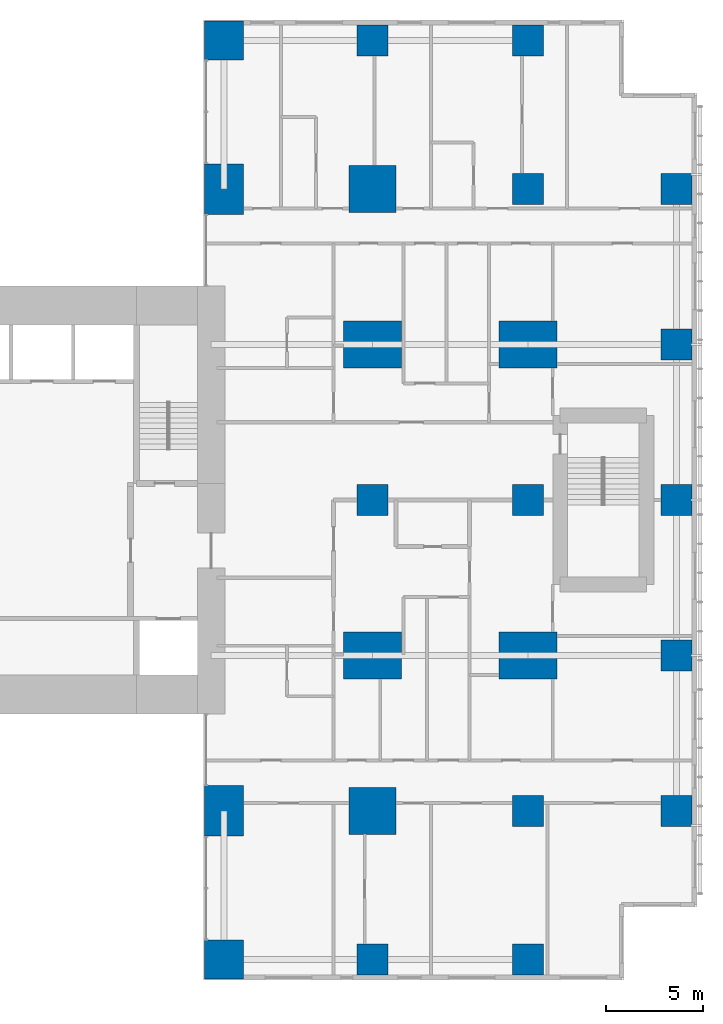
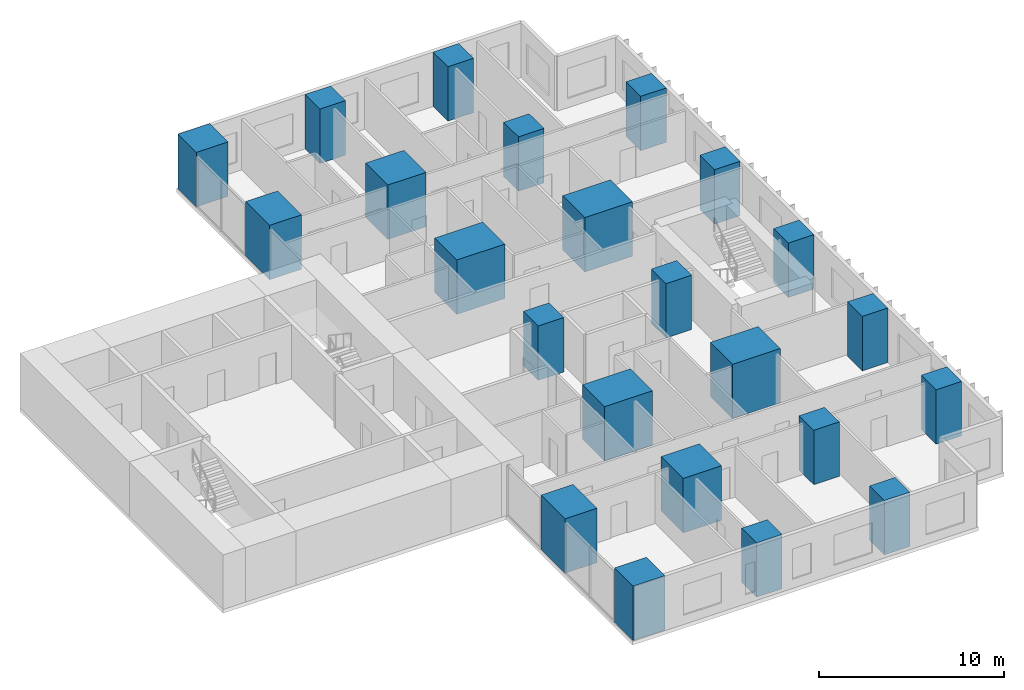
# One storey, part 1 of 12: 23 columns.
"""IFC4 building model written with IfcOpenShell, lengths in metres."""

from ifc_helpers import new_model, si_unit, direction, frame, origin, origin_2d, place, context, subcontext, project, spatial, rectangle, extrude, material, material_profile, profile_set, type_object, element, save


model = new_model("IFC4")

# Units and contexts
model_context = context("Model", 3, precision=1e-05, world=origin(), true_north=direction((0.0, 1.0)))
body_context = subcontext(model_context, "Body", "Model", "MODEL_VIEW")
ifc_project = project(units=[si_unit("LENGTHUNIT", "METRE"), si_unit("AREAUNIT", "SQUARE_METRE"), si_unit("VOLUMEUNIT", "CUBIC_METRE"), si_unit("PLANEANGLEUNIT", "RADIAN"), si_unit("MASSUNIT", "GRAM", prefix="KILO")], contexts=[model_context])

# Site, building, storey
site_placement = place(None, origin())
site = spatial("IfcSite", under=ifc_project, at=site_placement, CompositionType="ELEMENT")
building_placement = place(site_placement, origin())
building = spatial("IfcBuilding", under=site, at=building_placement, Name="Cleftline Residences", CompositionType="ELEMENT")
storey_placement = place(building_placement, frame((0.0, 0.0, 244.800048828125)))
storey = spatial("IfcBuildingStorey", under=building, at=storey_placement, Name="L64", CompositionType="ELEMENT", Elevation=244.800048828125)

# Columns
ifc_material_1 = material(Name="Concrete B70", Category="concrete")
ifc_material_profile_1 = material_profile(ifc_material_1, rectangle(XDim=1.60009765625, YDim=1.60009765625, at=origin_2d()))
ifc_profile_set_1 = profile_set([ifc_material_profile_1], Name="Concrete B70")
column_type_1 = type_object("IfcColumnType", Name="COLUMN RC1600X1600", PredefinedType="COLUMN", material=ifc_profile_set_1)
for number, where, z_axis, x_axis, name in (
    (1, (50.0, 0.35009765625, 0.0), (0.0, 0.0, 1.0), (1.0, 0.0, 0.0), "Column C/9"),
    (2, (50.0, 24.0, 0.0), (0.0, 0.0, 1.0), (1.0, 0.0, 0.0), "Column F/9"),
    (3, (50.0, 47.64990234375, 0.0), (0.0, 0.0, 1.0), (1.0, 0.0, 0.0), "Column J/9"),
    (4, (58.0, 0.35009765625, 0.0), (0.0, 0.0, 1.0), (1.0, 0.0, 0.0), "Column C/10"),
    (5, (58.0, 8.0, 0.0), (0.0, 0.0, 1.0), (1.0, 0.0, 0.0), "Column D/10"),
    (6, (58.0, 24.0, 0.0), (0.0, 0.0, 1.0), (1.0, 0.0, 0.0), "Column F/10"),
    (7, (58.0, 40.0, 0.0), (0.0, 0.0, 1.0), (1.0, 0.0, 0.0), "Column H/10"),
    (8, (58.0, 47.64990234375, 0.0), (0.0, 0.0, 1.0), (1.0, 0.0, 0.0), "Column J/10"),
    (9, (65.64990234375, 8.0, 0.0), (0.0, 0.0, 1.0), (1.0, 0.0, 0.0), "Column D/11"),
    (10, (65.64990234375, 16.0, 0.0), (0.0, 0.0, 1.0), (1.0, 0.0, 0.0), "Column E/11"),
    (11, (65.64990234375, 24.0, 0.0), (0.0, 0.0, 1.0), (1.0, 0.0, 0.0), "Column F/11"),
    (12, (65.64990234375, 32.0, 0.0), (0.0, 0.0, 1.0), (1.0, 0.0, 0.0), "Column G/11"),
    (13, (65.64990234375, 40.0, 0.0), (0.0, 0.0, 1.0), (1.0, 0.0, 0.0), "Column H/11"),
):
    element("IfcColumn", number, at=place(storey_placement, frame(where, z_axis=z_axis, x_axis=x_axis)), inside=storey, type_object=column_type_1, Name=name, PredefinedType="COLUMN", context=body_context, shape_type="SweptSolid", body=[
        extrude(rectangle(XDim=1.60009765625, YDim=1.60009765625, at=origin_2d()), origin(), (0.0, 0.0, 1.0), 3.599853515625),
    ])
ifc_material_2 = material(Name="Concrete B70", Category="concrete")
ifc_material_profile_2 = material_profile(ifc_material_2, rectangle(XDim=2.0, YDim=2.0, at=origin_2d()))
ifc_profile_set_2 = profile_set([ifc_material_profile_2], Name="Concrete B70")
column_type_2 = type_object("IfcColumnType", Name="COLUMN RC2000X2000", PredefinedType="COLUMN", material=ifc_profile_set_2)
for number, where, z_axis, x_axis, name in (
    (14, (42.35009765625, 0.35009765625, 0.0), (0.0, 0.0, 1.0), (1.0, 0.0, 0.0), "Column C/8"),
    (15, (42.35009765625, 47.64990234375, 0.0), (0.0, 0.0, 1.0), (1.0, 0.0, 0.0), "Column J/8"),
):
    element("IfcColumn", number, at=place(storey_placement, frame(where, z_axis=z_axis, x_axis=x_axis)), inside=storey, type_object=column_type_2, Name=name, PredefinedType="COLUMN", context=body_context, shape_type="SweptSolid", body=[
        extrude(rectangle(XDim=2.0, YDim=2.0, at=origin_2d()), origin(), (0.0, 0.0, 1.0), 3.599853515625),
    ])
ifc_material_3 = material(Name="Concrete B70", Category="concrete")
ifc_material_profile_3 = material_profile(ifc_material_3, rectangle(XDim=2.0, YDim=2.60009765625, at=origin_2d()))
ifc_profile_set_3 = profile_set([ifc_material_profile_3], Name="Concrete B70")
column_type_3 = type_object("IfcColumnType", Name="COLUMN RC2000X2600", PredefinedType="COLUMN", material=ifc_profile_set_3)
for number, where, z_axis, x_axis, name in (
    (16, (42.35009765625, 8.0, 0.0), (0.0, 0.0, 1.0), (1.0, 0.0, 0.0), "Column D/8"),
    (17, (42.35009765625, 40.0, 0.0), (0.0, 0.0, 1.0), (1.0, 0.0, 0.0), "Column H/8"),
):
    element("IfcColumn", number, at=place(storey_placement, frame(where, z_axis=z_axis, x_axis=x_axis)), inside=storey, type_object=column_type_3, Name=name, PredefinedType="COLUMN", context=body_context, shape_type="SweptSolid", body=[
        extrude(rectangle(XDim=2.0, YDim=2.60009765625, at=origin_2d()), origin(), (0.0, 0.0, 1.0), 3.599853515625),
    ])
ifc_material_4 = material(Name="Concrete B70", Category="concrete")
ifc_material_profile_4 = material_profile(ifc_material_4, rectangle(XDim=2.39990234375, YDim=2.39990234375, at=origin_2d()))
ifc_profile_set_4 = profile_set([ifc_material_profile_4], Name="Concrete B70")
column_type_4 = type_object("IfcColumnType", Name="COLUMN RC2400X2400", PredefinedType="COLUMN", material=ifc_profile_set_4)
for number, where, z_axis, x_axis, name in (
    (18, (50.0, 8.0, 0.0), (0.0, 0.0, 1.0), (1.0, 0.0, 0.0), "Column D/9"),
    (19, (50.0, 40.0, 0.0), (0.0, 0.0, 1.0), (1.0, 0.0, 0.0), "Column H/9"),
):
    element("IfcColumn", number, at=place(storey_placement, frame(where, z_axis=z_axis, x_axis=x_axis)), inside=storey, type_object=column_type_4, Name=name, PredefinedType="COLUMN", context=body_context, shape_type="SweptSolid", body=[
        extrude(rectangle(XDim=2.39990234375, YDim=2.39990234375, at=origin_2d()), origin(), (0.0, 0.0, 1.0), 3.599853515625),
    ])
ifc_material_5 = material(Name="Concrete B70", Category="concrete")
ifc_material_profile_5 = material_profile(ifc_material_5, rectangle(XDim=3.0, YDim=2.39990234375, at=origin_2d()))
ifc_profile_set_5 = profile_set([ifc_material_profile_5], Name="Concrete B70")
column_type_5 = type_object("IfcColumnType", Name="COLUMN RC3000X2400", PredefinedType="COLUMN", material=ifc_profile_set_5)
for number, where, z_axis, x_axis, name in (
    (20, (50.0, 16.0, 0.0), (0.0, 0.0, 1.0), (1.0, 0.0, 0.0), "Column E/9"),
    (21, (50.0, 32.0, 0.0), (0.0, 0.0, 1.0), (1.0, 0.0, 0.0), "Column G/9"),
    (22, (58.0, 16.0, 0.0), (0.0, 0.0, 1.0), (1.0, 0.0, 0.0), "Column E/10"),
    (23, (58.0, 32.0, 0.0), (0.0, 0.0, 1.0), (1.0, 0.0, 0.0), "Column G/10"),
):
    element("IfcColumn", number, at=place(storey_placement, frame(where, z_axis=z_axis, x_axis=x_axis)), inside=storey, type_object=column_type_5, Name=name, PredefinedType="COLUMN", context=body_context, shape_type="SweptSolid", body=[
        extrude(rectangle(XDim=3.0, YDim=2.39990234375, at=origin_2d()), origin(), (0.0, 0.0, 1.0), 3.599853515625),
    ])

save(model, "model.ifc")
